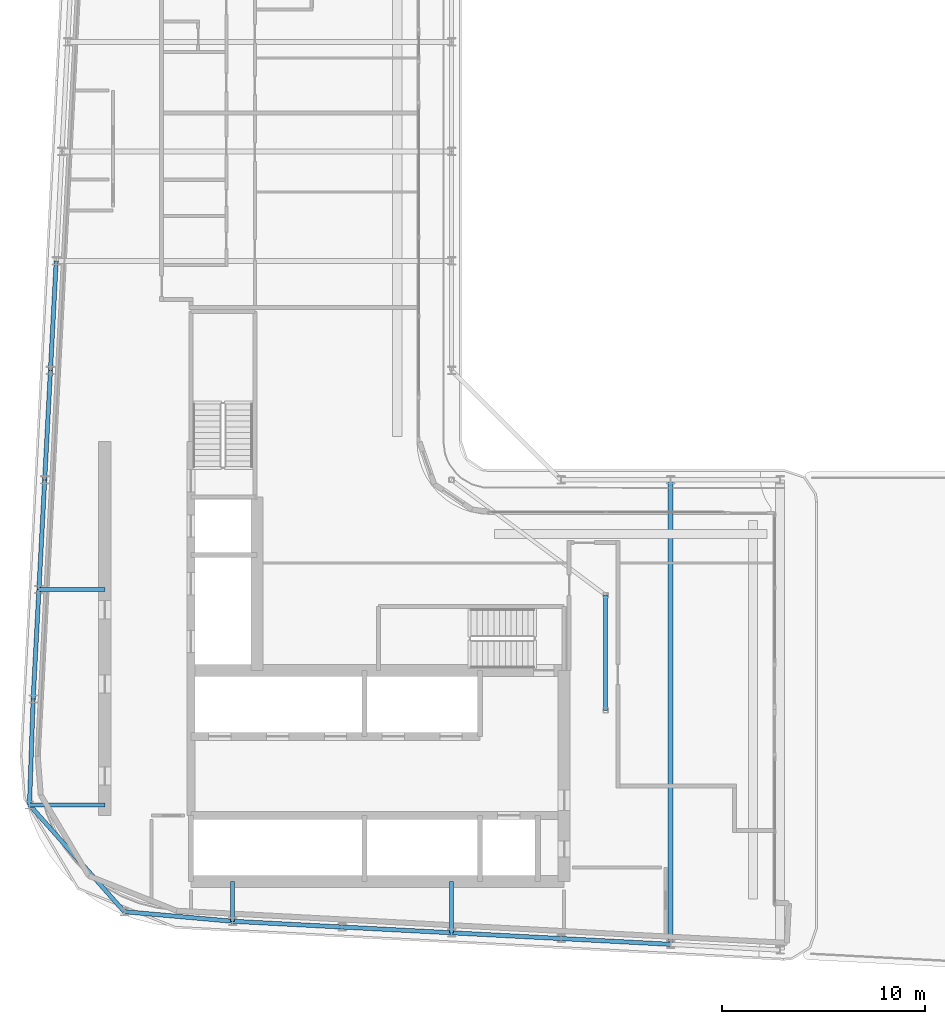
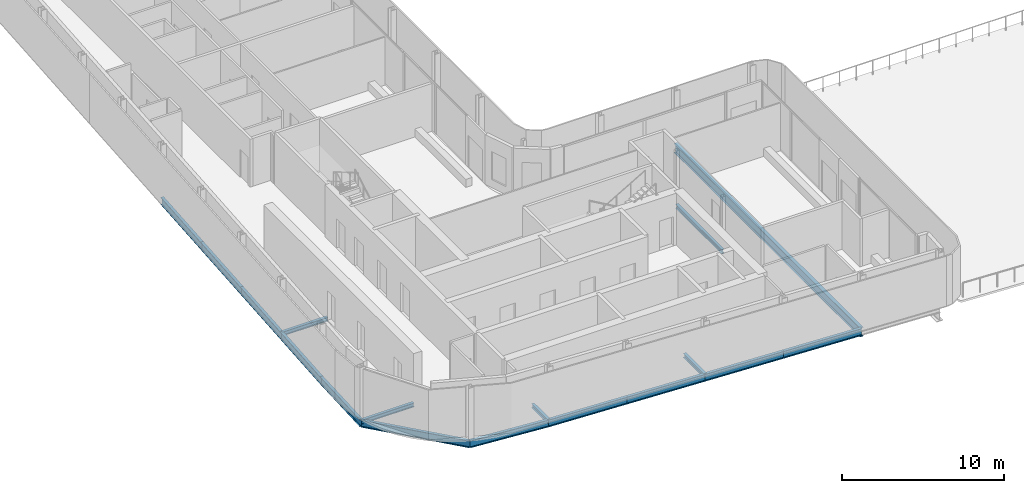
# One storey, part 5 of 22: 17 beams.
"""IFC4 building model written with IfcOpenShell, lengths in metres."""

from ifc_helpers import new_model, si_unit, direction, frame, origin, origin_2d, place, context, subcontext, project, spatial, i_section, extrude, material, material_profile, profile_set, type_object, element, save


model = new_model("IFC4")

# Units and contexts
model_context = context("Model", 3, precision=1e-05, world=origin(), true_north=direction((0.0, 1.0)))
body_context = subcontext(model_context, "Body", "Model", "MODEL_VIEW")
ifc_project = project(units=[si_unit("LENGTHUNIT", "METRE"), si_unit("AREAUNIT", "SQUARE_METRE"), si_unit("VOLUMEUNIT", "CUBIC_METRE"), si_unit("PLANEANGLEUNIT", "RADIAN"), si_unit("MASSUNIT", "GRAM", prefix="KILO")], contexts=[model_context])

# Site, building, storey
site_placement = place(None, origin())
site = spatial("IfcSite", under=ifc_project, at=site_placement, CompositionType="ELEMENT")
building_placement = place(site_placement, origin())
building = spatial("IfcBuilding", under=site, at=building_placement, Name="Kheshtan School and Residences Tower", CompositionType="ELEMENT")
storey_placement = place(building_placement, frame((0.0, 0.0, 274.699951171875)))
storey = spatial("IfcBuildingStorey", under=building, at=storey_placement, Name="L64", CompositionType="ELEMENT", Elevation=274.699951171875)

# Beams
ifc_material = material(Name="Steel ASTM A992 Grade 50", Category="steel")
ifc_material_profile_1 = material_profile(ifc_material, i_section(OverallWidth=0.202880859375, OverallDepth=0.302978515625, WebThickness=0.007568359375, FlangeThickness=0.01318359375, FilletRadius=0.009033203125, at=origin_2d()), Name="W310x60")
ifc_profile_set_1 = profile_set([ifc_material_profile_1], Name="Steel ASTM A992 Grade 50")
beam_type_1 = type_object("IfcBeamType", Name="Beam FB1 W310x60 ASTM A992 Grade 50", PredefinedType="BEAM", material=ifc_profile_set_1)
beam_1_placement = place(storey_placement, frame((47.60009765625, 23.263916015625, -0.301513671875), z_axis=(0.0, 1.0, 0.0), x_axis=(-1.0, 0.0, 0.0)))
element("IfcBeam", 1, at=beam_1_placement, inside=storey, type_object=beam_type_1, Name="Floor beam C020", PredefinedType="BEAM", context=body_context, shape_type="SweptSolid", body=[
    extrude(i_section(OverallWidth=0.202880859375, OverallDepth=0.302978515625, WebThickness=0.007568359375, FlangeThickness=0.01318359375, FilletRadius=0.009033203125, at=origin_2d()), origin(), (0.0, 0.0, 1.0), 2.5361328125),
])
beam_2_placement = place(storey_placement, frame((36.800048828125, 23.83203125, -0.301513671875), z_axis=(0.0, 1.0, 0.0), x_axis=(-1.0, 0.0, 0.0)))
element("IfcBeam", 2, at=beam_2_placement, inside=storey, type_object=beam_type_1, Name="Floor beam C022", PredefinedType="BEAM", context=body_context, shape_type="SweptSolid", body=[
    extrude(i_section(OverallWidth=0.202880859375, OverallDepth=0.302978515625, WebThickness=0.007568359375, FlangeThickness=0.01318359375, FilletRadius=0.009033203125, at=origin_2d()), origin(), (0.0, 0.0, 1.0), 1.968017578125),
])
beam_3_placement = place(storey_placement, frame((26.7880859375, 29.571044921875, -0.301513671875), z_axis=(1.0, 0.0, 0.0), x_axis=(0.0, 1.0, 0.0)))
element("IfcBeam", 3, at=beam_3_placement, inside=storey, type_object=beam_type_1, Name="Floor beam C123", PredefinedType="BEAM", context=body_context, shape_type="SweptSolid", body=[
    extrude(i_section(OverallWidth=0.202880859375, OverallDepth=0.302978515625, WebThickness=0.007568359375, FlangeThickness=0.01318359375, FilletRadius=0.009033203125, at=origin_2d()), origin(), (0.0, 0.0, 1.0), 3.7119140625),
])
beam_4_placement = place(storey_placement, frame((27.2529296875, 40.199951171875, -0.301513671875), z_axis=(1.0, 0.0, 0.0), x_axis=(0.0, 1.0, 0.0)))
element("IfcBeam", 4, at=beam_4_placement, inside=storey, type_object=beam_type_1, Name="Floor beam C056", PredefinedType="BEAM", context=body_context, shape_type="SweptSolid", body=[
    extrude(i_section(OverallWidth=0.202880859375, OverallDepth=0.302978515625, WebThickness=0.007568359375, FlangeThickness=0.01318359375, FilletRadius=0.009033203125, at=origin_2d()), origin(), (0.0, 0.0, 1.0), 3.2470703125),
])
beam_5_placement = place(storey_placement, frame((55.199951171875, 34.23193359375, -0.301513671875), z_axis=(0.0, 1.0, 0.0), x_axis=(-1.0, 0.0, 0.0)))
element("IfcBeam", 5, at=beam_5_placement, inside=storey, type_object=beam_type_1, Name="Floor beam IC", PredefinedType="BEAM", context=body_context, shape_type="SweptSolid", body=[
    extrude(i_section(OverallWidth=0.202880859375, OverallDepth=0.302978515625, WebThickness=0.007568359375, FlangeThickness=0.01318359375, FilletRadius=0.009033203125, at=origin_2d()), origin(), (0.0, 0.0, 1.0), 5.68408203125),
])
ifc_material_profile_2 = material_profile(ifc_material, i_section(OverallWidth=0.2529296875, OverallDepth=0.677978515625, WebThickness=0.01171875, FlangeThickness=0.016357421875, FilletRadius=0.0146484375, at=origin_2d()), Name="W690x125")
ifc_profile_set_2 = profile_set([ifc_material_profile_2], Name="Steel ASTM A992 Grade 50")
beam_type_2 = type_object("IfcBeamType", Name="Beam FB6 W690x125 ASTM A992 Grade 50", PredefinedType="BEAM", material=ifc_profile_set_2)
beam_6_placement = place(storey_placement, frame((58.39990234375, 22.695068359375, -0.489013671875), z_axis=(0.0, 1.0, 0.0), x_axis=(-1.0, 0.0, 0.0)))
element("IfcBeam", 6, at=beam_6_placement, inside=storey, type_object=beam_type_2, Name="Floor beam C018", PredefinedType="BEAM", context=body_context, shape_type="SweptSolid", body=[
    extrude(i_section(OverallWidth=0.2529296875, OverallDepth=0.677978515625, WebThickness=0.01171875, FlangeThickness=0.016357421875, FilletRadius=0.0146484375, at=origin_2d()), origin(), (0.0, 0.0, 1.0), 22.905029296875),
])
ifc_material_profile_3 = material_profile(ifc_material, i_section(OverallWidth=0.208984375, OverallDepth=0.532958984375, WebThickness=0.01025390625, FlangeThickness=0.015625, FilletRadius=0.013916015625, at=origin_2d()), Name="W530x92")
ifc_profile_set_3 = profile_set([ifc_material_profile_3], Name="Steel ASTM A992 Grade 50")
beam_type_3 = type_object("IfcBeamType", Name="Beam SP3 W530x92 ASTM A992 Grade 50", PredefinedType="BEAM", material=ifc_profile_set_3)
for number, where, z_axis, x_axis, name in (
    (7, (58.39990234375, 22.695068359375, -0.41650390625), (-0.998610961136, 0.052689166816, 0.0), (-0.052689166816, -0.998610961136, 0.0), "Spandrel beam C018-C019"),
    (8, (53.0, 22.97998046875, -0.41650390625), (-0.998620447272, 0.05250906864, 0.0), (-0.05250906864, -0.998620447272, 0.0), "Spandrel beam C019-C020"),
):
    element("IfcBeam", number, at=place(storey_placement, frame(where, z_axis=z_axis, x_axis=x_axis)), inside=storey, type_object=beam_type_3, Name=name, PredefinedType="BEAM", context=body_context, shape_type="SweptSolid", body=[
        extrude(i_section(OverallWidth=0.208984375, OverallDepth=0.532958984375, WebThickness=0.01025390625, FlangeThickness=0.015625, FilletRadius=0.013916015625, at=origin_2d()), origin(), (0.0, 0.0, 1.0), 5.407470703125),
    ])
beam_7_placement = place(storey_placement, frame((47.60009765625, 23.263916015625, -0.41650390625), z_axis=(-0.998618203458, 0.052551724256, 0.0), x_axis=(-0.052551724256, -0.998618203458, 0.0)))
element("IfcBeam", 9, at=beam_7_placement, inside=storey, type_object=beam_type_3, Name="Spandrel beam C020-C021", PredefinedType="BEAM", context=body_context, shape_type="SweptSolid", body=[
    extrude(i_section(OverallWidth=0.208984375, OverallDepth=0.532958984375, WebThickness=0.01025390625, FlangeThickness=0.015625, FilletRadius=0.013916015625, at=origin_2d()), origin(), (0.0, 0.0, 1.0), 5.40771484375),
])
beam_8_placement = place(storey_placement, frame((42.199951171875, 23.548095703125, -0.41650390625), z_axis=(-0.998620447272, 0.05250906864, 0.0), x_axis=(-0.05250906864, -0.998620447272, 0.0)))
element("IfcBeam", 10, at=beam_8_placement, inside=storey, type_object=beam_type_3, Name="Spandrel beam C021-C022", PredefinedType="BEAM", context=body_context, shape_type="SweptSolid", body=[
    extrude(i_section(OverallWidth=0.208984375, OverallDepth=0.532958984375, WebThickness=0.01025390625, FlangeThickness=0.015625, FilletRadius=0.013916015625, at=origin_2d()), origin(), (0.0, 0.0, 1.0), 5.407470703125),
])
beam_9_placement = place(storey_placement, frame((36.800048828125, 23.83203125, -0.41650390625), z_axis=(-0.996094319389, 0.08829556547, 0.0), x_axis=(-0.08829556547, -0.996094319389, 0.0)))
element("IfcBeam", 11, at=beam_9_placement, inside=storey, type_object=beam_type_3, Name="Spandrel beam C022-C122", PredefinedType="BEAM", context=body_context, shape_type="SweptSolid", body=[
    extrude(i_section(OverallWidth=0.208984375, OverallDepth=0.532958984375, WebThickness=0.01025390625, FlangeThickness=0.015625, FilletRadius=0.013916015625, at=origin_2d()), origin(), (0.0, 0.0, 1.0), 5.35595703125),
])
beam_10_placement = place(storey_placement, frame((31.465087890625, 24.304931640625, -0.41650390625), z_axis=(-0.664047505347, 0.747690384211, 0.0), x_axis=(-0.747690384211, -0.664047505347, 0.0)))
element("IfcBeam", 12, at=beam_10_placement, inside=storey, type_object=beam_type_3, Name="Spandrel beam C122-C123", PredefinedType="BEAM", context=body_context, shape_type="SweptSolid", body=[
    extrude(i_section(OverallWidth=0.208984375, OverallDepth=0.532958984375, WebThickness=0.01025390625, FlangeThickness=0.015625, FilletRadius=0.013916015625, at=origin_2d()), origin(), (0.0, 0.0, 1.0), 7.043212890625),
])
beam_11_placement = place(storey_placement, frame((26.7880859375, 29.571044921875, -0.41650390625), z_axis=(0.034576380853, 0.999402058176, 0.0), x_axis=(-0.999402058176, 0.034576380853, 0.0)))
element("IfcBeam", 13, at=beam_11_placement, inside=storey, type_object=beam_type_3, Name="Spandrel beam C123-C052", PredefinedType="BEAM", context=body_context, shape_type="SweptSolid", body=[
    extrude(i_section(OverallWidth=0.208984375, OverallDepth=0.532958984375, WebThickness=0.01025390625, FlangeThickness=0.015625, FilletRadius=0.013916015625, at=origin_2d()), origin(), (0.0, 0.0, 1.0), 5.232177734375),
])
beam_12_placement = place(storey_placement, frame((26.968994140625, 34.800048828125, -0.41650390625), z_axis=(0.05250906864, 0.998620447272, 0.0), x_axis=(-0.998620447272, 0.05250906864, 0.0)))
element("IfcBeam", 14, at=beam_12_placement, inside=storey, type_object=beam_type_3, Name="Spandrel beam C052-C056", PredefinedType="BEAM", context=body_context, shape_type="SweptSolid", body=[
    extrude(i_section(OverallWidth=0.208984375, OverallDepth=0.532958984375, WebThickness=0.01025390625, FlangeThickness=0.015625, FilletRadius=0.013916015625, at=origin_2d()), origin(), (0.0, 0.0, 1.0), 5.407470703125),
])
beam_13_placement = place(storey_placement, frame((27.2529296875, 40.199951171875, -0.41650390625), z_axis=(0.052551724256, 0.998618203458, 0.0), x_axis=(-0.998618203458, 0.052551724256, 0.0)))
element("IfcBeam", 15, at=beam_13_placement, inside=storey, type_object=beam_type_3, Name="Spandrel beam C056-C059", PredefinedType="BEAM", context=body_context, shape_type="SweptSolid", body=[
    extrude(i_section(OverallWidth=0.208984375, OverallDepth=0.532958984375, WebThickness=0.01025390625, FlangeThickness=0.015625, FilletRadius=0.013916015625, at=origin_2d()), origin(), (0.0, 0.0, 1.0), 5.40771484375),
])
for number, where, z_axis, x_axis, name in (
    (16, (27.537109375, 45.60009765625, -0.41650390625), (0.052689166816, 0.998610961136, 0.0), (-0.998610961136, 0.052689166816, 0.0), "Spandrel beam C059-C078"),
    (17, (27.822021484375, 51.0, -0.41650390625), (0.05250906864, 0.998620447272, 0.0), (-0.998620447272, 0.05250906864, 0.0), "Spandrel beam C078-C080"),
):
    element("IfcBeam", number, at=place(storey_placement, frame(where, z_axis=z_axis, x_axis=x_axis)), inside=storey, type_object=beam_type_3, Name=name, PredefinedType="BEAM", context=body_context, shape_type="SweptSolid", body=[
        extrude(i_section(OverallWidth=0.208984375, OverallDepth=0.532958984375, WebThickness=0.01025390625, FlangeThickness=0.015625, FilletRadius=0.013916015625, at=origin_2d()), origin(), (0.0, 0.0, 1.0), 5.407470703125),
    ])

save(model, "model.ifc")
